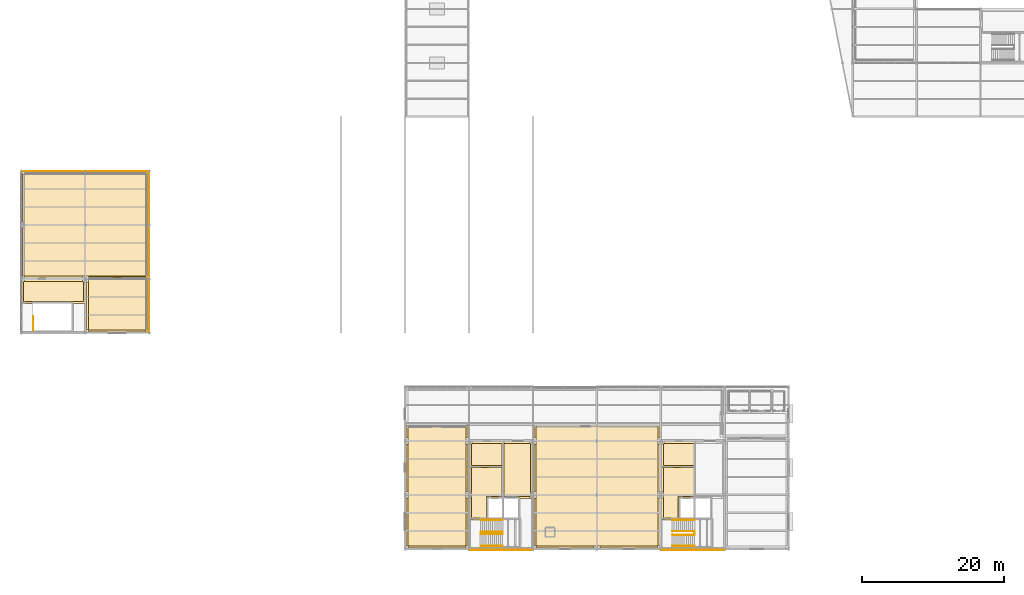
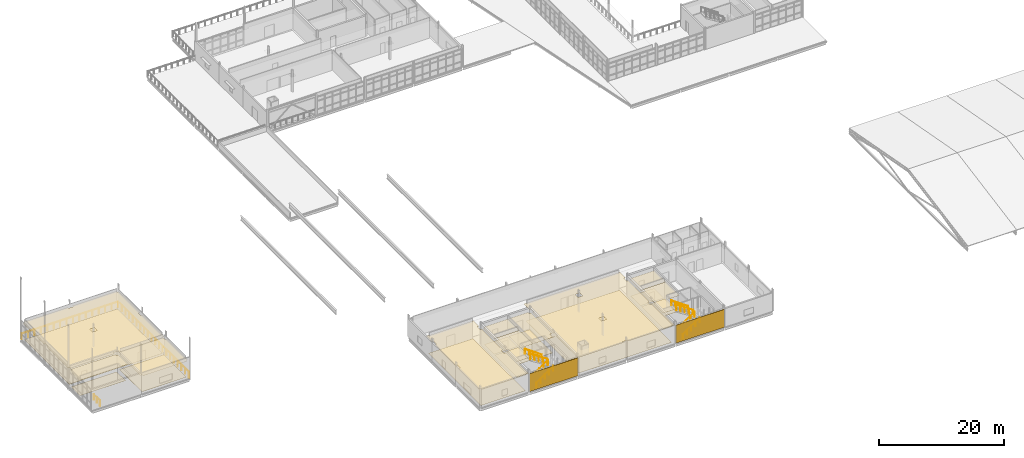
# One storey, part 93 of 96: 22 coverings, 8 railings.
"""IFC4 building model written with IfcOpenShell, lengths in metres."""

from ifc_helpers import new_model, si_unit, direction, frame, origin, origin_2d, place, context, subcontext, project, spatial, polyline, rectangle, circle, outline, extrude, material, layer, layer_set, type_object, element, save


model = new_model("IFC4")

# Units and contexts
model_context = context("Model", 3, precision=1e-05, world=origin(), true_north=direction((0.0, 1.0)))
body_context = subcontext(model_context, "Body", "Model", "MODEL_VIEW")
ifc_project = project(units=[si_unit("LENGTHUNIT", "METRE"), si_unit("AREAUNIT", "SQUARE_METRE"), si_unit("VOLUMEUNIT", "CUBIC_METRE"), si_unit("PLANEANGLEUNIT", "RADIAN"), si_unit("MASSUNIT", "GRAM", prefix="KILO")], contexts=[model_context])

# Site, building, storey
site_placement = place(None, origin())
site = spatial("IfcSite", under=ifc_project, at=site_placement, CompositionType="ELEMENT")
building_placement = place(site_placement, origin())
building = spatial("IfcBuilding", under=site, at=building_placement, Name="Caisbarro Railhouse Central Library", CompositionType="ELEMENT")
storey_placement = place(building_placement, frame((0.0, 0.0, 13.679931640625)))
storey = spatial("IfcBuildingStorey", under=building, at=storey_placement, Name="L03", CompositionType="ELEMENT", Elevation=13.679931640625)

# Coverings
ifc_material_1 = material(Name="Extruded architectural terracotta rainscreen", Category="masonry")
ifc_layer_1 = layer(ifc_material_1, 0.054931640625, Name="Extruded architectural terracotta rainscreen")
ifc_layer_set_1 = layer_set([ifc_layer_1], Name="Extruded architectural terracotta rainscreen")
covering_type_1 = type_object("IfcCoveringType", Name="CLD-TER01", PredefinedType="CLADDING", material=ifc_layer_set_1)
for number, where, z_axis, x_axis, name in (
    (1, (67.5, -0.151611328125, 0.0302734375), (0.0, 0.0, 1.0), (1.0, 0.0, 0.0), "TER01 facade cladding L03-029"),
    (2, (94.5, -0.151611328125, 0.0302734375), (0.0, 0.0, 1.0), (1.0, 0.0, 0.0), "TER01 facade cladding L03-030"),
):
    element("IfcCovering", number, at=place(storey_placement, frame(where, z_axis=z_axis, x_axis=x_axis)), inside=storey, type_object=covering_type_1, Name=name, PredefinedType="CLADDING", context=body_context, shape_type="SweptSolid", body=[
        extrude(rectangle(XDim=8.9599609375, YDim=0.054931640625, at=origin_2d()), origin(), (0.0, 0.0, 1.0), 3.510986328125),
    ])
ifc_material_2 = material(Name="Perforated mineral-fibre acoustic ceiling tile")
ifc_layer_2 = layer(ifc_material_2, 0.01806640625, Name="Perforated mineral-fibre acoustic ceiling tile")
ifc_layer_set_2 = layer_set([ifc_layer_2], Name="Perforated mineral-fibre acoustic ceiling tile")
covering_type_2 = type_object("IfcCoveringType", Name="COV-CL01", PredefinedType="CEILING", material=ifc_layer_set_2)
covering_1_placement = place(storey_placement, frame((0.0, 0.0, 3.25)))
element("IfcCovering", 3, at=covering_1_placement, inside=storey, type_object=covering_type_2, Name="CL01 acoustic ceiling Firefighting Lift Lobby K1", PredefinedType="CEILING", context=body_context, shape_type="SweptSolid", body=[
    extrude(outline(polyline([(63.090087890625, 7.159912109375), (63.43994140625, 7.159912109375), (63.43994140625, 8.0400390625), (63.090087890625, 8.0400390625), (63.090087890625, 11.7099609375), (67.909912109375, 11.7099609375), (67.909912109375, 7.090087890625), (65.7099609375, 7.090087890625), (65.7099609375, 4.090087890625), (63.090087890625, 4.090087890625), (63.090087890625, 7.159912109375)])), origin(), (0.0, 0.0, 1.0), 0.01806640625),
])
covering_2_placement = place(storey_placement, frame((0.0, 0.0, 3.25)))
element("IfcCovering", 4, at=covering_2_placement, inside=storey, type_object=covering_type_2, Name="CL01 acoustic ceiling Lift Lobby K1", PredefinedType="CEILING", context=body_context, shape_type="SweptSolid", body=[
    extrude(outline(polyline([(71.56005859375, 15.110107421875), (71.56005859375, 14.760009765625), (71.909912109375, 14.760009765625), (71.909912109375, 8.0400390625), (71.56005859375, 8.0400390625), (71.56005859375, 7.159912109375), (71.909912109375, 7.159912109375), (71.909912109375, 7.090087890625), (67.639892578125, 7.090087890625), (67.639892578125, 15.110107421875), (71.56005859375, 15.110107421875)])), origin(), (0.0, 0.0, 1.0), 0.01806640625),
])
covering_3_placement = place(storey_placement, frame((0.0, 0.0, 3.25)))
element("IfcCovering", 5, at=covering_3_placement, inside=storey, type_object=covering_type_2, Name="CL01 acoustic ceiling Core Vestibule K1", PredefinedType="CEILING", context=body_context, shape_type="SweptSolid", body=[
    extrude(outline(polyline([(63.090087890625, 14.760009765625), (63.43994140625, 14.760009765625), (63.43994140625, 15.110107421875), (67.909912109375, 15.110107421875), (67.909912109375, 11.43994140625), (63.090087890625, 11.43994140625), (63.090087890625, 14.760009765625)])), origin(), (0.0, 0.0, 1.0), 0.01806640625),
])
covering_4_placement = place(storey_placement, frame((0.0, 0.0, 3.25)))
element("IfcCovering", 6, at=covering_4_placement, inside=storey, type_object=covering_type_2, Name="CL01 acoustic ceiling Firefighting Lift Lobby K2", PredefinedType="CEILING", context=body_context, shape_type="SweptSolid", body=[
    extrude(outline(polyline([(90.090087890625, 7.159912109375), (90.43994140625, 7.159912109375), (90.43994140625, 8.0400390625), (90.090087890625, 8.0400390625), (90.090087890625, 11.7099609375), (94.909912109375, 11.7099609375), (94.909912109375, 7.090087890625), (92.7099609375, 7.090087890625), (92.7099609375, 4.090087890625), (90.090087890625, 4.090087890625), (90.090087890625, 7.159912109375)])), origin(), (0.0, 0.0, 1.0), 0.01806640625),
])
covering_5_placement = place(storey_placement, frame((0.0, 0.0, 3.25)))
element("IfcCovering", 7, at=covering_5_placement, inside=storey, type_object=covering_type_2, Name="CL01 acoustic ceiling Core Vestibule K2", PredefinedType="CEILING", context=body_context, shape_type="SweptSolid", body=[
    extrude(outline(polyline([(90.090087890625, 14.760009765625), (90.43994140625, 14.760009765625), (90.43994140625, 15.110107421875), (94.909912109375, 15.110107421875), (94.909912109375, 11.43994140625), (90.090087890625, 11.43994140625), (90.090087890625, 14.760009765625)])), origin(), (0.0, 0.0, 1.0), 0.01806640625),
])
covering_6_placement = place(storey_placement, frame((0.0, 0.0, 3.25)))
element("IfcCovering", 8, at=covering_6_placement, inside=storey, type_object=covering_type_2, Name="CL01 acoustic ceiling Stair Lobby K6", PredefinedType="CEILING", context=body_context, shape_type="SweptSolid", body=[
    extrude(outline(polyline([(0.43994140625, 37.56005859375), (0.43994140625, 37.909912109375), (8.56005859375, 37.909912109375), (8.56005859375, 37.56005859375), (8.9599609375, 37.56005859375), (8.9599609375, 34.5400390625), (0.0400390625, 34.5400390625), (0.0400390625, 37.56005859375), (0.43994140625, 37.56005859375)])), origin(), (0.0, 0.0, 1.0), 0.01806640625),
])
covering_7_placement = place(storey_placement, frame((0.0, 0.0, 3.25)))
element("IfcCovering", 9, at=covering_7_placement, inside=storey, type_object=covering_type_2, Name="CL01 acoustic ceiling Poetry and Rare Literature Alcove", PredefinedType="CEILING", context=body_context, shape_type="SweptSolid", body=[
    extrude(outline(polyline([(17.56005859375, 30.840087890625), (17.56005859375, 30.5400390625), (9.43994140625, 30.5400390625), (9.43994140625, 30.840087890625), (9.139892578125, 30.840087890625), (9.139892578125, 37.56005859375), (9.43994140625, 37.56005859375), (9.43994140625, 38.260009765625), (17.56005859375, 38.260009765625), (17.56005859375, 37.56005859375), (17.860107421875, 37.56005859375), (17.860107421875, 30.840087890625), (17.56005859375, 30.840087890625)])), origin(), (0.0, 0.0, 1.0), 0.01806640625),
])
covering_8_placement = place(storey_placement, frame((0.0, 0.0, 3.25)))
element("IfcCovering", 10, at=covering_8_placement, inside=storey, type_object=covering_type_2, Name="CL01 acoustic ceiling Law and Public-Policy Open Stacks", PredefinedType="CEILING", context=body_context, shape_type="SweptSolid", body=[
    extrude(outline(polyline([(72.43994140625, 0.43994140625), (72.139892578125, 0.43994140625), (72.139892578125, 7.159912109375), (72.43994140625, 7.159912109375), (72.43994140625, 8.0400390625), (72.139892578125, 8.0400390625), (72.139892578125, 14.760009765625), (72.43994140625, 14.760009765625), (72.43994140625, 15.639892578125), (72.139892578125, 15.639892578125), (72.139892578125, 17.4599609375), (89.860107421875, 17.4599609375), (89.860107421875, 15.639892578125), (89.56005859375, 15.639892578125), (89.56005859375, 14.760009765625), (89.860107421875, 14.760009765625), (89.860107421875, 8.0400390625), (89.56005859375, 8.0400390625), (89.56005859375, 7.159912109375), (89.860107421875, 7.159912109375), (89.860107421875, 0.43994140625), (89.56005859375, 0.43994140625), (89.56005859375, 0.139892578125), (81.43994140625, 0.139892578125), (81.43994140625, 0.43994140625), (80.56005859375, 0.43994140625), (80.56005859375, 0.139892578125), (72.43994140625, 0.139892578125), (72.43994140625, 0.43994140625)]), holes=[polyline([(81.43994140625, 8.0400390625), (80.56005859375, 8.0400390625), (80.56005859375, 7.159912109375), (81.43994140625, 7.159912109375), (81.43994140625, 8.0400390625)]), polyline([(81.43994140625, 14.760009765625), (81.43994140625, 15.639892578125), (80.56005859375, 15.639892578125), (80.56005859375, 14.760009765625), (81.43994140625, 14.760009765625)])]), origin(), (0.0, 0.0, 1.0), 0.01806640625),
])
covering_9_placement = place(storey_placement, frame((0.0, 0.0, 3.25)))
element("IfcCovering", 11, at=covering_9_placement, inside=storey, type_object=covering_type_2, Name="CL01 acoustic ceiling Digitisation and Microfilm Studio", PredefinedType="CEILING", context=body_context, shape_type="SweptSolid", body=[
    extrude(outline(polyline([(54.139892578125, 0.43994140625), (54.139892578125, 7.159912109375), (54.43994140625, 7.159912109375), (54.43994140625, 8.0400390625), (54.139892578125, 8.0400390625), (54.139892578125, 14.760009765625), (54.43994140625, 14.760009765625), (54.43994140625, 15.639892578125), (54.139892578125, 15.639892578125), (54.139892578125, 17.4599609375), (62.860107421875, 17.4599609375), (62.860107421875, 15.639892578125), (62.56005859375, 15.639892578125), (62.56005859375, 14.760009765625), (62.860107421875, 14.760009765625), (62.860107421875, 8.0400390625), (62.56005859375, 8.0400390625), (62.56005859375, 7.159912109375), (62.860107421875, 7.159912109375), (62.860107421875, 0.43994140625), (62.56005859375, 0.43994140625), (62.56005859375, 0.139892578125), (54.43994140625, 0.139892578125), (54.43994140625, 0.43994140625), (54.139892578125, 0.43994140625)])), origin(), (0.0, 0.0, 1.0), 0.01806640625),
])
ifc_material_3 = material(Name="Slatted acoustic timber baffle ceiling", Category="wood")
ifc_layer_3 = layer(ifc_material_3, 0.031982421875, Name="Slatted acoustic timber baffle ceiling")
ifc_layer_set_3 = layer_set([ifc_layer_3], Name="Slatted acoustic timber baffle ceiling")
covering_type_3 = type_object("IfcCoveringType", Name="COV-CL02", PredefinedType="CEILING", material=ifc_layer_set_3)
covering_10_placement = place(storey_placement, frame((0.0, 0.0, 3.25)))
element("IfcCovering", 12, at=covering_10_placement, inside=storey, type_object=covering_type_3, Name="CL02 acoustic ceiling Gridshell Overlook Reading Gallery", PredefinedType="CEILING", context=body_context, shape_type="SweptSolid", body=[
    extrude(outline(polyline([(0.43994140625, 38.43994140625), (0.139892578125, 38.43994140625), (0.139892578125, 45.159912109375), (0.43994140625, 45.159912109375), (0.43994140625, 46.0400390625), (0.139892578125, 46.0400390625), (0.139892578125, 52.760009765625), (0.43994140625, 52.760009765625), (0.43994140625, 53.06005859375), (8.56005859375, 53.06005859375), (8.56005859375, 52.760009765625), (9.43994140625, 52.760009765625), (9.43994140625, 53.06005859375), (17.56005859375, 53.06005859375), (17.56005859375, 52.760009765625), (17.860107421875, 52.760009765625), (17.860107421875, 46.0400390625), (17.56005859375, 46.0400390625), (17.56005859375, 45.159912109375), (17.860107421875, 45.159912109375), (17.860107421875, 38.43994140625), (17.56005859375, 38.43994140625), (17.56005859375, 38.139892578125), (9.43994140625, 38.139892578125), (9.43994140625, 38.43994140625), (8.56005859375, 38.43994140625), (8.56005859375, 38.139892578125), (0.43994140625, 38.139892578125), (0.43994140625, 38.43994140625)]), holes=[polyline([(9.43994140625, 46.0400390625), (8.56005859375, 46.0400390625), (8.56005859375, 45.159912109375), (9.43994140625, 45.159912109375), (9.43994140625, 46.0400390625)])]), origin(), (0.0, 0.0, 1.0), 0.031982421875),
])
ifc_material_4 = material(Name="Polished cementitious terrazzo flooring")
ifc_layer_4 = layer(ifc_material_4, 0.02197265625, Name="Polished cementitious terrazzo flooring")
ifc_layer_set_4 = layer_set([ifc_layer_4], Name="Polished cementitious terrazzo flooring")
covering_type_4 = type_object("IfcCoveringType", Name="COV-FL01", PredefinedType="FLOORING", material=ifc_layer_set_4)
covering_11_placement = place(storey_placement, origin())
element("IfcCovering", 13, at=covering_11_placement, inside=storey, type_object=covering_type_4, Name="FL01 flooring Firefighting Lift Lobby K1", PredefinedType="FLOORING", context=body_context, shape_type="SweptSolid", body=[
    extrude(outline(polyline([(63.35009765625, 4.35009765625), (65.449951171875, 4.35009765625), (65.449951171875, 7.35009765625), (67.64990234375, 7.35009765625), (67.64990234375, 11.449951171875), (63.35009765625, 11.449951171875), (63.35009765625, 4.35009765625)])), origin(), (0.0, 0.0, 1.0), 0.02197265625),
])
covering_12_placement = place(storey_placement, origin())
element("IfcCovering", 14, at=covering_12_placement, inside=storey, type_object=covering_type_4, Name="FL01 flooring Lift Lobby K1", PredefinedType="FLOORING", context=body_context, shape_type="SweptSolid", body=[
    extrude(outline(polyline([(67.89990234375, 7.35009765625), (71.64990234375, 7.35009765625), (71.64990234375, 14.85009765625), (67.89990234375, 14.85009765625), (67.89990234375, 7.35009765625)])), origin(), (0.0, 0.0, 1.0), 0.02197265625),
])
covering_13_placement = place(storey_placement, origin())
element("IfcCovering", 15, at=covering_13_placement, inside=storey, type_object=covering_type_4, Name="FL01 flooring Firefighting Lift Lobby K2", PredefinedType="FLOORING", context=body_context, shape_type="SweptSolid", body=[
    extrude(outline(polyline([(90.35009765625, 4.35009765625), (92.449951171875, 4.35009765625), (92.449951171875, 7.35009765625), (94.64990234375, 7.35009765625), (94.64990234375, 11.449951171875), (90.35009765625, 11.449951171875), (90.35009765625, 4.35009765625)])), origin(), (0.0, 0.0, 1.0), 0.02197265625),
])
covering_14_placement = place(storey_placement, origin())
element("IfcCovering", 16, at=covering_14_placement, inside=storey, type_object=covering_type_4, Name="FL01 flooring Stair Lobby K6", PredefinedType="FLOORING", context=body_context, shape_type="SweptSolid", body=[
    extrude(outline(polyline([(0.300048828125, 34.800048828125), (8.699951171875, 34.800048828125), (8.699951171875, 37.64990234375), (0.300048828125, 37.64990234375), (0.300048828125, 34.800048828125)])), origin(), (0.0, 0.0, 1.0), 0.02197265625),
])
ifc_material_5 = material(Name="Heavy-duty acoustic linoleum flooring")
ifc_layer_5 = layer(ifc_material_5, 0.011962890625, Name="Heavy-duty acoustic linoleum flooring")
ifc_layer_set_5 = layer_set([ifc_layer_5], Name="Heavy-duty acoustic linoleum flooring")
covering_type_5 = type_object("IfcCoveringType", Name="COV-FL02", PredefinedType="FLOORING", material=ifc_layer_set_5)
covering_15_placement = place(storey_placement, origin())
element("IfcCovering", 17, at=covering_15_placement, inside=storey, type_object=covering_type_5, Name="FL02 flooring Core Vestibule K1", PredefinedType="FLOORING", context=body_context, shape_type="SweptSolid", body=[
    extrude(outline(polyline([(63.35009765625, 11.699951171875), (67.64990234375, 11.699951171875), (67.64990234375, 14.85009765625), (63.35009765625, 14.85009765625), (63.35009765625, 11.699951171875)])), origin(), (0.0, 0.0, 1.0), 0.011962890625),
])
covering_16_placement = place(storey_placement, origin())
element("IfcCovering", 18, at=covering_16_placement, inside=storey, type_object=covering_type_5, Name="FL02 flooring Core Vestibule K2", PredefinedType="FLOORING", context=body_context, shape_type="SweptSolid", body=[
    extrude(outline(polyline([(90.35009765625, 11.699951171875), (94.64990234375, 11.699951171875), (94.64990234375, 14.85009765625), (90.35009765625, 14.85009765625), (90.35009765625, 11.699951171875)])), origin(), (0.0, 0.0, 1.0), 0.011962890625),
])
covering_17_placement = place(storey_placement, origin())
element("IfcCovering", 19, at=covering_17_placement, inside=storey, type_object=covering_type_5, Name="FL02 flooring Gridshell Overlook Reading Gallery", PredefinedType="FLOORING", context=body_context, shape_type="SweptSolid", body=[
    extrude(outline(polyline([(0.39990234375, 38.39990234375), (17.60009765625, 38.39990234375), (17.60009765625, 52.800048828125), (0.39990234375, 52.800048828125), (0.39990234375, 38.39990234375)])), origin(), (0.0, 0.0, 1.0), 0.011962890625),
])
covering_18_placement = place(storey_placement, origin())
element("IfcCovering", 20, at=covering_18_placement, inside=storey, type_object=covering_type_5, Name="FL02 flooring Poetry and Rare Literature Alcove", PredefinedType="FLOORING", context=body_context, shape_type="SweptSolid", body=[
    extrude(outline(polyline([(9.39990234375, 30.800048828125), (17.60009765625, 30.800048828125), (17.60009765625, 38.0), (9.39990234375, 38.0), (9.39990234375, 30.800048828125)])), origin(), (0.0, 0.0, 1.0), 0.011962890625),
])
covering_19_placement = place(storey_placement, origin())
element("IfcCovering", 21, at=covering_19_placement, inside=storey, type_object=covering_type_5, Name="FL02 flooring Law and Public-Policy Open Stacks", PredefinedType="FLOORING", context=body_context, shape_type="SweptSolid", body=[
    extrude(outline(polyline([(72.39990234375, 0.39990234375), (89.60009765625, 0.39990234375), (89.60009765625, 17.199951171875), (72.39990234375, 17.199951171875), (72.39990234375, 0.39990234375)])), origin(), (0.0, 0.0, 1.0), 0.011962890625),
])
covering_20_placement = place(storey_placement, origin())
element("IfcCovering", 22, at=covering_20_placement, inside=storey, type_object=covering_type_5, Name="FL02 flooring Digitisation and Microfilm Studio", PredefinedType="FLOORING", context=body_context, shape_type="SweptSolid", body=[
    extrude(outline(polyline([(54.39990234375, 0.39990234375), (62.60009765625, 0.39990234375), (62.60009765625, 17.199951171875), (54.39990234375, 17.199951171875), (54.39990234375, 0.39990234375)])), origin(), (0.0, 0.0, 1.0), 0.011962890625),
])

# Railings
ifc_material_6 = material(Name="Laminated safety glass balustrade with stainless top rail", Category="glass")
railing_type_1 = type_object("IfcRailingType", Name="RLG-ATR112", PredefinedType="GUARDRAIL", material=ifc_material_6)
railing_1_placement = place(storey_placement, frame((0.10009765625, 53.10009765625, 0.0)))
element("IfcRailing", 23, at=railing_1_placement, inside=storey, type_object=railing_type_1, Name="RG02 Interior Void Balustrade L03-08", PredefinedType="GUARDRAIL", context=body_context, shape_type="SweptSolid", body=[
    extrude(circle(Radius=0.02392578125, at=origin_2d()), frame((0.0, 0.0, 1.09619140625), z_axis=(1.0, 0.0, 0.0), x_axis=(0.0, 1.0, 0.0)), (0.0, 0.0, 1.0), 17.7998046875),
    extrude(circle(Radius=0.02392578125, at=origin_2d()), frame((17.7998046875, 0.0, 1.09619140625), z_axis=(0.0, -1.0, 0.0), x_axis=(1.0, 0.0, 0.0)), (0.0, 0.0, 1.0), 22.60009765625),
    extrude(circle(Radius=0.02099609375, at=origin_2d()), origin(), (0.0, 0.0, 1.0), 1.072021484375),
    extrude(circle(Radius=0.02099609375, at=origin_2d()), frame((1.186767578125, 0.0, 0.0)), (0.0, 0.0, 1.0), 1.072021484375),
    extrude(circle(Radius=0.02099609375, at=origin_2d()), frame((2.373291015625, 0.0, 0.0)), (0.0, 0.0, 1.0), 1.072021484375),
    extrude(circle(Radius=0.02099609375, at=origin_2d()), frame((3.56005859375, 0.0, 0.0)), (0.0, 0.0, 1.0), 1.072021484375),
    extrude(circle(Radius=0.02099609375, at=origin_2d()), frame((4.74658203125, 0.0, 0.0)), (0.0, 0.0, 1.0), 1.072021484375),
    extrude(circle(Radius=0.02099609375, at=origin_2d()), frame((5.933349609375, 0.0, 0.0)), (0.0, 0.0, 1.0), 1.072021484375),
    extrude(circle(Radius=0.02099609375, at=origin_2d()), frame((7.119873046875, 0.0, 0.0)), (0.0, 0.0, 1.0), 1.072021484375),
    extrude(circle(Radius=0.02099609375, at=origin_2d()), frame((8.306640625, 0.0, 0.0)), (0.0, 0.0, 1.0), 1.072021484375),
    extrude(circle(Radius=0.02099609375, at=origin_2d()), frame((9.4931640625, 0.0, 0.0)), (0.0, 0.0, 1.0), 1.072021484375),
    extrude(circle(Radius=0.02099609375, at=origin_2d()), frame((10.679931640625, 0.0, 0.0)), (0.0, 0.0, 1.0), 1.072021484375),
    extrude(circle(Radius=0.02099609375, at=origin_2d()), frame((11.866455078125, 0.0, 0.0)), (0.0, 0.0, 1.0), 1.072021484375),
    extrude(circle(Radius=0.02099609375, at=origin_2d()), frame((13.05322265625, 0.0, 0.0)), (0.0, 0.0, 1.0), 1.072021484375),
    extrude(circle(Radius=0.02099609375, at=origin_2d()), frame((14.23974609375, 0.0, 0.0)), (0.0, 0.0, 1.0), 1.072021484375),
    extrude(circle(Radius=0.02099609375, at=origin_2d()), frame((15.426513671875, 0.0, 0.0)), (0.0, 0.0, 1.0), 1.072021484375),
    extrude(circle(Radius=0.02099609375, at=origin_2d()), frame((16.613037109375, 0.0, 0.0)), (0.0, 0.0, 1.0), 1.072021484375),
    extrude(circle(Radius=0.02099609375, at=origin_2d()), frame((17.7998046875, 0.0, 0.0)), (0.0, 0.0, 1.0), 1.072021484375),
    extrude(circle(Radius=0.02099609375, at=origin_2d()), frame((17.7998046875, -1.189453125, 0.0)), (0.0, 0.0, 1.0), 1.072021484375),
    extrude(circle(Radius=0.02099609375, at=origin_2d()), frame((17.7998046875, -2.37890625, 0.0)), (0.0, 0.0, 1.0), 1.072021484375),
    extrude(circle(Radius=0.02099609375, at=origin_2d()), frame((17.7998046875, -3.568359375, 0.0)), (0.0, 0.0, 1.0), 1.072021484375),
    extrude(circle(Radius=0.02099609375, at=origin_2d()), frame((17.7998046875, -4.7578125, 0.0)), (0.0, 0.0, 1.0), 1.072021484375),
    extrude(circle(Radius=0.02099609375, at=origin_2d()), frame((17.7998046875, -5.947509765625, 0.0)), (0.0, 0.0, 1.0), 1.072021484375),
    extrude(circle(Radius=0.02099609375, at=origin_2d()), frame((17.7998046875, -7.136962890625, 0.0)), (0.0, 0.0, 1.0), 1.072021484375),
    extrude(circle(Radius=0.02099609375, at=origin_2d()), frame((17.7998046875, -8.326416015625, 0.0)), (0.0, 0.0, 1.0), 1.072021484375),
    extrude(circle(Radius=0.02099609375, at=origin_2d()), frame((17.7998046875, -9.515869140625, 0.0)), (0.0, 0.0, 1.0), 1.072021484375),
    extrude(circle(Radius=0.02099609375, at=origin_2d()), frame((17.7998046875, -10.705322265625, 0.0)), (0.0, 0.0, 1.0), 1.072021484375),
    extrude(circle(Radius=0.02099609375, at=origin_2d()), frame((17.7998046875, -11.894775390625, 0.0)), (0.0, 0.0, 1.0), 1.072021484375),
    extrude(circle(Radius=0.02099609375, at=origin_2d()), frame((17.7998046875, -13.084228515625, 0.0)), (0.0, 0.0, 1.0), 1.072021484375),
    extrude(circle(Radius=0.02099609375, at=origin_2d()), frame((17.7998046875, -14.273681640625, 0.0)), (0.0, 0.0, 1.0), 1.072021484375),
    extrude(circle(Radius=0.02099609375, at=origin_2d()), frame((17.7998046875, -15.463134765625, 0.0)), (0.0, 0.0, 1.0), 1.072021484375),
    extrude(circle(Radius=0.02099609375, at=origin_2d()), frame((17.7998046875, -16.652587890625, 0.0)), (0.0, 0.0, 1.0), 1.072021484375),
    extrude(circle(Radius=0.02099609375, at=origin_2d()), frame((17.7998046875, -17.84228515625, 0.0)), (0.0, 0.0, 1.0), 1.072021484375),
    extrude(circle(Radius=0.02099609375, at=origin_2d()), frame((17.7998046875, -19.03173828125, 0.0)), (0.0, 0.0, 1.0), 1.072021484375),
    extrude(circle(Radius=0.02099609375, at=origin_2d()), frame((17.7998046875, -20.22119140625, 0.0)), (0.0, 0.0, 1.0), 1.072021484375),
    extrude(circle(Radius=0.02099609375, at=origin_2d()), frame((17.7998046875, -21.41064453125, 0.0)), (0.0, 0.0, 1.0), 1.072021484375),
    extrude(circle(Radius=0.02099609375, at=origin_2d()), frame((17.7998046875, -22.60009765625, 0.0)), (0.0, 0.0, 1.0), 1.072021484375),
])
ifc_material_7 = material(Name="Brushed stainless steel Grade 316", Category="steel")
railing_type_2 = type_object("IfcRailingType", Name="RLG-STR092", PredefinedType="HANDRAIL", material=ifc_material_7)
railing_2_placement = place(storey_placement, frame((64.64990234375, 0.389892578125, 0.0)))
element("IfcRailing", 24, at=railing_2_placement, inside=storey, type_object=railing_type_2, Name="Stair ST-01 Outer Handrail F1 L03", PredefinedType="HANDRAIL", context=body_context, shape_type="SweptSolid", body=[
    extrude(circle(Radius=0.02392578125, at=origin_2d()), frame((0.0, 0.0, 0.89599609375), z_axis=(0.819593772312, 0.0, 0.572945065767), x_axis=(0.0, 1.0, 0.0)), (0.0, 0.0, 1.0), 3.770263671875),
    extrude(circle(Radius=0.02099609375, at=origin_2d()), origin(), (0.0, 0.0, 1.0), 0.871826171875),
    extrude(circle(Radius=0.02099609375, at=origin_2d()), frame((0.7724609375, 0.0, 0.5400390625)), (0.0, 0.0, 1.0), 0.871826171875),
    extrude(circle(Radius=0.02099609375, at=origin_2d()), frame((1.544921875, 0.0, 1.080078125)), (0.0, 0.0, 1.0), 0.871826171875),
    extrude(circle(Radius=0.02099609375, at=origin_2d()), frame((2.317626953125, 0.0, 1.6201171875)), (0.0, 0.0, 1.0), 0.871826171875),
    extrude(circle(Radius=0.02099609375, at=origin_2d()), frame((3.090087890625, 0.0, 2.16015625)), (0.0, 0.0, 1.0), 0.871826171875),
])
railing_3_placement = place(storey_placement, frame((67.739990234375, 4.06005859375, 2.16015625)))
element("IfcRailing", 25, at=railing_3_placement, inside=storey, type_object=railing_type_2, Name="Stair ST-01 Outer Handrail F2 L03", PredefinedType="HANDRAIL", context=body_context, shape_type="SweptSolid", body=[
    extrude(circle(Radius=0.02392578125, at=origin_2d()), frame((0.0, 0.0, 0.89599609375), z_axis=(-0.819624179701, 0.0, 0.572901565759), x_axis=(0.0, -1.0, 0.0)), (0.0, 0.0, 1.0), 3.77001953125),
    extrude(circle(Radius=0.02099609375, at=origin_2d()), origin(), (0.0, 0.0, 1.0), 0.871826171875),
    extrude(circle(Radius=0.02099609375, at=origin_2d()), frame((-0.7724609375, 0.0, 0.5400390625)), (0.0, 0.0, 1.0), 0.871826171875),
    extrude(circle(Radius=0.02099609375, at=origin_2d()), frame((-1.544921875, 0.0, 1.080078125)), (0.0, 0.0, 1.0), 0.871826171875),
    extrude(circle(Radius=0.02099609375, at=origin_2d()), frame((-2.317626953125, 0.0, 1.619873046875)), (0.0, 0.0, 1.0), 0.871826171875),
    extrude(circle(Radius=0.02099609375, at=origin_2d()), frame((-3.090087890625, 0.0, 2.159912109375)), (0.0, 0.0, 1.0), 0.871826171875),
])
railing_4_placement = place(storey_placement, frame((91.64990234375, 0.389892578125, 0.0)))
element("IfcRailing", 26, at=railing_4_placement, inside=storey, type_object=railing_type_2, Name="Stair ST-02 Outer Handrail F1 L03", PredefinedType="HANDRAIL", context=body_context, shape_type="SweptSolid", body=[
    extrude(circle(Radius=0.02392578125, at=origin_2d()), frame((0.0, 0.0, 0.89599609375), z_axis=(0.819593772312, 0.0, 0.572945065767), x_axis=(0.0, 1.0, 0.0)), (0.0, 0.0, 1.0), 3.770263671875),
    extrude(circle(Radius=0.02099609375, at=origin_2d()), origin(), (0.0, 0.0, 1.0), 0.871826171875),
    extrude(circle(Radius=0.02099609375, at=origin_2d()), frame((0.7724609375, 0.0, 0.5400390625)), (0.0, 0.0, 1.0), 0.871826171875),
    extrude(circle(Radius=0.02099609375, at=origin_2d()), frame((1.544921875, 0.0, 1.080078125)), (0.0, 0.0, 1.0), 0.871826171875),
    extrude(circle(Radius=0.02099609375, at=origin_2d()), frame((2.317626953125, 0.0, 1.6201171875)), (0.0, 0.0, 1.0), 0.871826171875),
    extrude(circle(Radius=0.02099609375, at=origin_2d()), frame((3.090087890625, 0.0, 2.16015625)), (0.0, 0.0, 1.0), 0.871826171875),
])
railing_5_placement = place(storey_placement, frame((94.739990234375, 4.06005859375, 2.16015625)))
element("IfcRailing", 27, at=railing_5_placement, inside=storey, type_object=railing_type_2, Name="Stair ST-02 Outer Handrail F2 L03", PredefinedType="HANDRAIL", context=body_context, shape_type="SweptSolid", body=[
    extrude(circle(Radius=0.02392578125, at=origin_2d()), frame((0.0, 0.0, 0.89599609375), z_axis=(-0.819624179701, 0.0, 0.572901565759), x_axis=(0.0, -1.0, 0.0)), (0.0, 0.0, 1.0), 3.77001953125),
    extrude(circle(Radius=0.02099609375, at=origin_2d()), origin(), (0.0, 0.0, 1.0), 0.871826171875),
    extrude(circle(Radius=0.02099609375, at=origin_2d()), frame((-0.7724609375, 0.0, 0.5400390625)), (0.0, 0.0, 1.0), 0.871826171875),
    extrude(circle(Radius=0.02099609375, at=origin_2d()), frame((-1.544921875, 0.0, 1.080078125)), (0.0, 0.0, 1.0), 0.871826171875),
    extrude(circle(Radius=0.02099609375, at=origin_2d()), frame((-2.317626953125, 0.0, 1.619873046875)), (0.0, 0.0, 1.0), 0.871826171875),
    extrude(circle(Radius=0.02099609375, at=origin_2d()), frame((-3.090087890625, 0.0, 2.159912109375)), (0.0, 0.0, 1.0), 0.871826171875),
])
railing_type_3 = type_object("IfcRailingType", Name="RLG-STR110", PredefinedType="GUARDRAIL", material=ifc_material_7)
railing_6_placement = place(storey_placement, frame((64.64990234375, 2.090087890625, 0.0)))
element("IfcRailing", 28, at=railing_6_placement, inside=storey, type_object=railing_type_3, Name="Stair ST-01 Inner Well Guardrail L03", PredefinedType="GUARDRAIL", context=body_context, shape_type="SweptSolid", body=[
    extrude(circle(Radius=0.02392578125, at=origin_2d()), frame((0.0, 0.0, 1.076171875), z_axis=(0.819593772312, 0.0, 0.572945065767), x_axis=(0.0, 1.0, 0.0)), (0.0, 0.0, 1.0), 3.770263671875),
    extrude(circle(Radius=0.02392578125, at=origin_2d()), frame((3.090087890625, 0.0, 3.236328125), z_axis=(0.0, 1.0, 0.0), x_axis=(-1.0, 0.0, 0.0)), (0.0, 0.0, 1.0), 0.27001953125),
    extrude(circle(Radius=0.02392578125, at=origin_2d()), frame((3.090087890625, 0.27001953125, 3.236328125), z_axis=(-0.819624179701, 0.0, 0.572901565759), x_axis=(0.0, -1.0, 0.0)), (0.0, 0.0, 1.0), 3.77001953125),
    extrude(circle(Radius=0.02099609375, at=origin_2d()), origin(), (0.0, 0.0, 1.0), 1.052001953125),
    extrude(circle(Radius=0.02099609375, at=origin_2d()), frame((0.7724609375, 0.0, 0.5400390625)), (0.0, 0.0, 1.0), 1.052001953125),
    extrude(circle(Radius=0.02099609375, at=origin_2d()), frame((1.544921875, 0.0, 1.080078125)), (0.0, 0.0, 1.0), 1.052001953125),
    extrude(circle(Radius=0.02099609375, at=origin_2d()), frame((2.317626953125, 0.0, 1.6201171875)), (0.0, 0.0, 1.0), 1.052001953125),
    extrude(circle(Radius=0.02099609375, at=origin_2d()), frame((3.090087890625, 0.0, 2.16015625)), (0.0, 0.0, 1.0), 1.052001953125),
    extrude(circle(Radius=0.02099609375, at=origin_2d()), frame((3.090087890625, 0.27001953125, 2.16015625)), (0.0, 0.0, 1.0), 1.052001953125),
    extrude(circle(Radius=0.02099609375, at=origin_2d()), frame((2.317626953125, 0.27001953125, 2.7001953125)), (0.0, 0.0, 1.0), 1.052001953125),
    extrude(circle(Radius=0.02099609375, at=origin_2d()), frame((1.544921875, 0.27001953125, 3.240234375)), (0.0, 0.0, 1.0), 1.052001953125),
    extrude(circle(Radius=0.02099609375, at=origin_2d()), frame((0.7724609375, 0.27001953125, 3.780029296875)), (0.0, 0.0, 1.0), 1.052001953125),
    extrude(circle(Radius=0.02099609375, at=origin_2d()), frame((0.0, 0.27001953125, 4.320068359375)), (0.0, 0.0, 1.0), 1.052001953125),
])
railing_7_placement = place(storey_placement, frame((91.64990234375, 1.969970703125, 0.0)))
element("IfcRailing", 29, at=railing_7_placement, inside=storey, type_object=railing_type_3, Name="Stair ST-02 Inner Well Guardrail L03", PredefinedType="GUARDRAIL", context=body_context, shape_type="SweptSolid", body=[
    extrude(circle(Radius=0.02392578125, at=origin_2d()), frame((0.0, 0.0, 1.076171875), z_axis=(0.819593772312, 0.0, 0.572945065767), x_axis=(0.0, 1.0, 0.0)), (0.0, 0.0, 1.0), 3.770263671875),
    extrude(circle(Radius=0.02392578125, at=origin_2d()), frame((3.090087890625, 0.0, 3.236328125), z_axis=(0.0, 1.0, 0.0), x_axis=(-1.0, 0.0, 0.0)), (0.0, 0.0, 1.0), 0.510009765625),
    extrude(circle(Radius=0.02392578125, at=origin_2d()), frame((3.090087890625, 0.510009765625, 3.236328125), z_axis=(-0.819624179701, 0.0, 0.572901565759), x_axis=(0.0, -1.0, 0.0)), (0.0, 0.0, 1.0), 3.77001953125),
    extrude(circle(Radius=0.02099609375, at=origin_2d()), origin(), (0.0, 0.0, 1.0), 1.052001953125),
    extrude(circle(Radius=0.02099609375, at=origin_2d()), frame((0.7724609375, 0.0, 0.5400390625)), (0.0, 0.0, 1.0), 1.052001953125),
    extrude(circle(Radius=0.02099609375, at=origin_2d()), frame((1.544921875, 0.0, 1.080078125)), (0.0, 0.0, 1.0), 1.052001953125),
    extrude(circle(Radius=0.02099609375, at=origin_2d()), frame((2.317626953125, 0.0, 1.6201171875)), (0.0, 0.0, 1.0), 1.052001953125),
    extrude(circle(Radius=0.02099609375, at=origin_2d()), frame((3.090087890625, 0.0, 2.16015625)), (0.0, 0.0, 1.0), 1.052001953125),
    extrude(circle(Radius=0.02099609375, at=origin_2d()), frame((3.090087890625, 0.510009765625, 2.16015625)), (0.0, 0.0, 1.0), 1.052001953125),
    extrude(circle(Radius=0.02099609375, at=origin_2d()), frame((2.317626953125, 0.510009765625, 2.7001953125)), (0.0, 0.0, 1.0), 1.052001953125),
    extrude(circle(Radius=0.02099609375, at=origin_2d()), frame((1.544921875, 0.510009765625, 3.240234375)), (0.0, 0.0, 1.0), 1.052001953125),
    extrude(circle(Radius=0.02099609375, at=origin_2d()), frame((0.7724609375, 0.510009765625, 3.780029296875)), (0.0, 0.0, 1.0), 1.052001953125),
    extrude(circle(Radius=0.02099609375, at=origin_2d()), frame((0.0, 0.510009765625, 4.320068359375)), (0.0, 0.0, 1.0), 1.052001953125),
])
railing_8_placement = place(storey_placement, frame((1.64990234375, 30.75, 0.0)))
element("IfcRailing", 30, at=railing_8_placement, inside=storey, type_object=railing_type_3, Name="Stair ST-06 Top Landing Guardrail L03", PredefinedType="GUARDRAIL", context=body_context, shape_type="SweptSolid", body=[
    extrude(circle(Radius=0.02392578125, at=origin_2d()), frame((0.0, 0.0, 1.076171875), z_axis=(0.0, 1.0, 0.0), x_axis=(-1.0, 0.0, 0.0)), (0.0, 0.0, 1.0), 1.969970703125),
    extrude(circle(Radius=0.02099609375, at=origin_2d()), origin(), (0.0, 0.0, 1.0), 1.052001953125),
    extrude(circle(Radius=0.02099609375, at=origin_2d()), frame((0.0, 0.98486328125, 0.0)), (0.0, 0.0, 1.0), 1.052001953125),
    extrude(circle(Radius=0.02099609375, at=origin_2d()), frame((0.0, 1.969970703125, 0.0)), (0.0, 0.0, 1.0), 1.052001953125),
])

save(model, "model.ifc")
